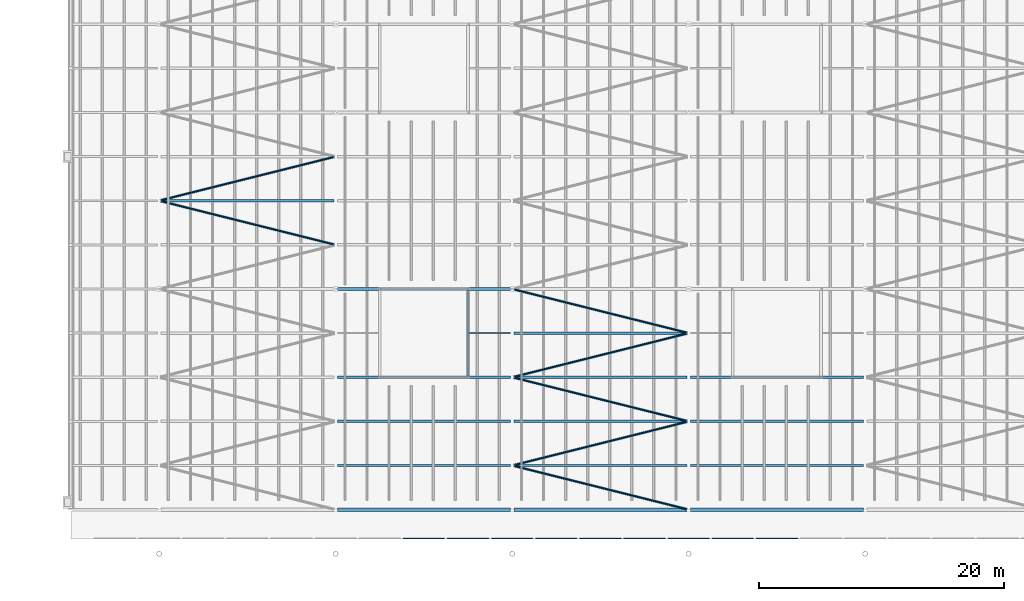
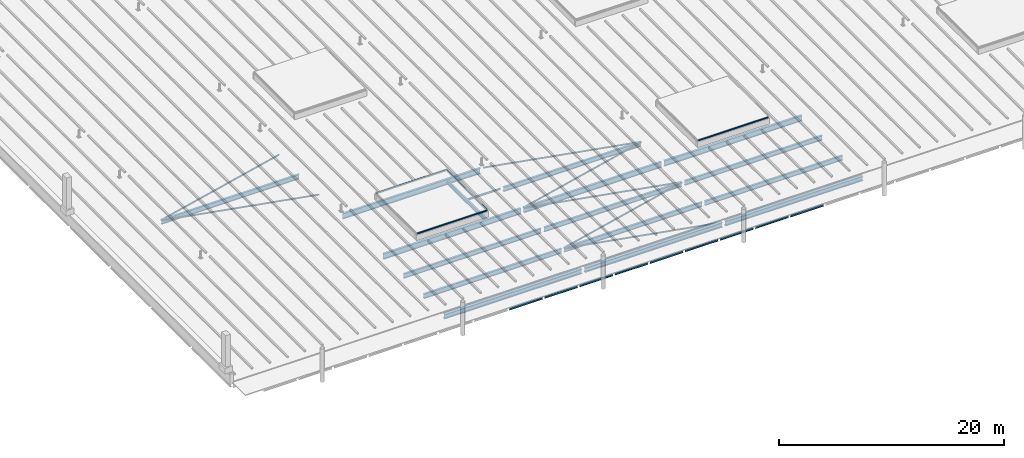
# One storey, part 15 of 120: 26 beams, 11 members.
"""IFC4 building model written with IfcOpenShell, lengths in metres."""

import ifcopenshell
import ifcopenshell.guid

model = None  # the IFC model being written
_history = None  # IfcOwnerHistory: only IFC2X3 demands one
_inside = {}  # id of a spatial element -> (the spatial element, [elements in it])
_under = {}  # id of a project, library or spatial element -> (it, [spatial elements below it])
_declared = {}  # id of a project -> (the project, [libraries it declares])
_typed = {}  # id of a type object -> (the type object, [elements of that type])
_made_of = {}  # id of a material, layer set ... -> (it, [elements and type objects made of it])


def new_model(schema):
    """Start an empty IFC model of exactly this schema.

    Asked for "IFC4X3", IfcOpenShell would pick the latest addendum, in which some entities
    have other attributes; the version numbers below select the first issue.
    IFC2X3 requires an IfcOwnerHistory on every rooted entity: one is made here for all.
    """
    global model, _history
    if schema == "IFC4X3":
        model = ifcopenshell.file(schema_version=(4, 3, 0, 0))
    else:
        model = ifcopenshell.file(schema=schema)
    _inside.clear()
    _under.clear()
    _declared.clear()
    _typed.clear()
    _made_of.clear()
    _history = None
    if model.schema == "IFC2X3":
        org = make("IfcOrganization", Name="unknown")
        user = make(
            "IfcPersonAndOrganization",
            ThePerson=make("IfcPerson", FamilyName="unknown"),
            TheOrganization=org,
        )
        app = make(
            "IfcApplication",
            ApplicationDeveloper=org,
            Version="unknown",
            ApplicationFullName="unknown",
            ApplicationIdentifier="unknown",
        )
        _history = make(
            "IfcOwnerHistory",
            OwningUser=user,
            OwningApplication=app,
            ChangeAction="ADDED",
            CreationDate=0,
        )
    return model


def make(cls, **values):
    """One entity of the class cls with the attributes given. An attribute that is None is left unset."""
    return model.create_entity(
        cls, **{name: value for name, value in values.items() if value is not None}
    )


def rooted(cls, **values):
    """An entity with a GlobalId (a new one), such as an element, a storey or a relation."""
    return make(cls, GlobalId=ifcopenshell.guid.new(), OwnerHistory=_history, **values)


def si_unit(unit_type, name, prefix=None):
    """IfcSIUnit, for example si_unit("LENGTHUNIT", "METRE", prefix="MILLI")."""
    return make("IfcSIUnit", UnitType=unit_type, Prefix=prefix, Name=name)


def assignment(units):
    """IfcUnitAssignment: the units of a project."""
    return None if units is None else make("IfcUnitAssignment", Units=units)


def point(xyz):
    """IfcCartesianPoint."""
    return None if xyz is None else make("IfcCartesianPoint", Coordinates=xyz)


def direction(xyz):
    """IfcDirection."""
    return None if xyz is None else make("IfcDirection", DirectionRatios=xyz)


def frame(location, z_axis=None, x_axis=None):
    """IfcAxis2Placement3D, a coordinate frame: its origin and axes. An axis left out is left unset."""
    return make(
        "IfcAxis2Placement3D",
        Location=point(location),
        Axis=direction(z_axis),
        RefDirection=direction(x_axis),
    )


def frame_2d(location, x_axis=None):
    """IfcAxis2Placement2D, a coordinate frame in the plane: its origin and x axis."""
    return make(
        "IfcAxis2Placement2D", Location=point(location), RefDirection=direction(x_axis)
    )


def origin():
    """The frame at (0, 0, 0) with its axes left unset."""
    return frame((0.0, 0.0, 0.0))


def origin_2d():
    """The frame at (0, 0) in the plane with its x axis left unset."""
    return frame_2d((0.0, 0.0))


def place(relative_to, where):
    """IfcLocalPlacement: puts the frame where relative to a parent placement (None: the world)."""
    return make(
        "IfcLocalPlacement", PlacementRelTo=relative_to, RelativePlacement=where
    )


def context(
    kind, dimensions, precision=None, world=None, true_north=None, identifier=None
):
    """IfcGeometricRepresentationContext, for example the 3D "Model" context."""
    return make(
        "IfcGeometricRepresentationContext",
        ContextIdentifier=identifier,
        ContextType=kind,
        CoordinateSpaceDimension=dimensions,
        Precision=precision,
        WorldCoordinateSystem=world,
        TrueNorth=true_north,
    )


def subcontext(parent, identifier, kind, view, scale=None):
    """IfcGeometricRepresentationSubContext, for example "Body" below "Model"."""
    return make(
        "IfcGeometricRepresentationSubContext",
        ContextIdentifier=identifier,
        ContextType=kind,
        ParentContext=parent,
        TargetScale=scale,
        TargetView=view,
    )


def project(units=None, contexts=None):
    """IfcProject with its units and contexts."""
    return rooted(
        "IfcProject",
        Name="project",
        RepresentationContexts=contexts,
        UnitsInContext=assignment(units),
    )


def spatial(cls, under=None, at=None, **own):
    """A site, building, storey or space (cls), placed at a placement, below another one or the project."""
    s = rooted(cls, ObjectPlacement=at, **own)
    if under is not None:
        _under.setdefault(under.id(), (under, []))[1].append(s)
    return s


def profile(cls, at=None, kind="AREA", **sizes):
    """A parametric profile (cls). Its sizes go by their IFC names, for example OverallWidth=200.0."""
    return make(cls, ProfileType=kind, Position=at, **sizes)


def hollow_circle(**sizes):
    """IfcCircleHollowProfileDef."""
    return profile("IfcCircleHollowProfileDef", **sizes)


def i_section(**sizes):
    """IfcIShapeProfileDef."""
    return profile("IfcIShapeProfileDef", **sizes)


def extrude(swept, where, along, depth):
    """IfcExtrudedAreaSolid: the profile swept, set in the frame where, extruded along a direction by depth."""
    return make(
        "IfcExtrudedAreaSolid",
        SweptArea=swept,
        Position=where,
        ExtrudedDirection=direction(along),
        Depth=depth,
    )


def shape(context_of_items, identifier, shape_type, items):
    """IfcShapeRepresentation: the items that make up one representation, for example the "Body"."""
    return make(
        "IfcShapeRepresentation",
        ContextOfItems=context_of_items,
        RepresentationIdentifier=identifier,
        RepresentationType=shape_type,
        Items=items,
    )


def material(Name=None, Category=None):
    """IfcMaterial."""
    return make("IfcMaterial", Name=Name, Category=Category)


def material_profile(
    of_material, cross_section, Name=None, Category=None, Priority=None
):
    """IfcMaterialProfile: a cross section and its material."""
    return make(
        "IfcMaterialProfile",
        Name=Name,
        Material=of_material,
        Profile=cross_section,
        Priority=Priority,
        Category=Category,
    )


def profile_set(profiles, Name=None, composite=None):
    """IfcMaterialProfileSet."""
    return make(
        "IfcMaterialProfileSet",
        Name=Name,
        MaterialProfiles=profiles,
        CompositeProfile=composite,
    )


def made_of(thing, what):
    """Note that an element or type object is made of a material, layer set ...; save() writes the relation."""
    if what is not None:
        _made_of.setdefault(what.id(), (what, []))[1].append(thing)
    return thing


def type_object(cls, material=None, **own):
    """A type object (cls), such as IfcWallType, which elements share."""
    return made_of(rooted(cls, **own), material)


def element(
    cls,
    number,
    at=None,
    inside=None,
    cuts=None,
    type_object=None,
    material=None,
    context=None,
    identifier="Body",
    shape_type=None,
    held_by="IfcProductDefinitionShape",
    body=None,
    shapes=None,
    **own,
):
    """One element of the class cls, such as IfcWall. Its Tag is "e" and its number.

    at: its placement. inside: the storey or other place that contains it. cuts: it is an
    opening in that element (IfcRelVoidsElement). A single representation is given by context,
    identifier, shape_type and body (its items); several are given by shapes. held_by: the class
    of the entity that holds the representations. save() writes the other relations.
    """
    e = rooted(cls, Tag="e%d" % number, ObjectPlacement=at, **own)
    if body is not None:
        shapes = [shape(context, identifier, shape_type, body)]
    if shapes is not None:
        e.Representation = make(held_by, Representations=shapes)
    if inside is not None:
        _inside.setdefault(inside.id(), (inside, []))[1].append(e)
    if cuts is not None:
        rooted(
            "IfcRelVoidsElement", RelatingBuildingElement=cuts, RelatedOpeningElement=e
        )
    if type_object is not None:
        _typed.setdefault(type_object.id(), (type_object, []))[1].append(e)
    return made_of(e, material)


def aggregate(whole, parts):
    """IfcRelAggregates: a whole, such as a stair, and the parts it consists of."""
    return rooted("IfcRelAggregates", RelatingObject=whole, RelatedObjects=parts)


def save(model, path):
    """Write the relations noted so far, then the file.

    IfcRelAggregates (storeys below a building ...), IfcRelContainedInSpatialStructure (elements
    in a storey), IfcRelDefinesByType, IfcRelAssociatesMaterial and IfcRelDeclares: one each for
    every whole, place, type object, material and project.
    """
    for whole, parts in _under.values():
        aggregate(whole, parts)
    for where, things in _inside.values():
        rooted(
            "IfcRelContainedInSpatialStructure",
            RelatedElements=things,
            RelatingStructure=where,
        )
    for kind, things in _typed.values():
        rooted("IfcRelDefinesByType", RelatedObjects=things, RelatingType=kind)
    for what, things in _made_of.values():
        rooted("IfcRelAssociatesMaterial", RelatedObjects=things, RelatingMaterial=what)
    for by, libraries in _declared.values():
        rooted("IfcRelDeclares", RelatingContext=by, RelatedDefinitions=libraries)
    model.write(path)


model = new_model("IFC4")

# Units and contexts
model_context = context("Model", 3, precision=1e-05, world=origin(), true_north=direction((0.0, 1.0)))
body_context = subcontext(model_context, "Body", "Model", "MODEL_VIEW")
ifc_project = project(units=[si_unit("LENGTHUNIT", "METRE"), si_unit("AREAUNIT", "SQUARE_METRE"), si_unit("VOLUMEUNIT", "CUBIC_METRE"), si_unit("PLANEANGLEUNIT", "RADIAN"), si_unit("MASSUNIT", "GRAM", prefix="KILO")], contexts=[model_context])

# Site, building, storey
site_placement = place(None, origin())
site = spatial("IfcSite", under=ifc_project, at=site_placement, CompositionType="ELEMENT")
building_placement = place(site_placement, origin())
building = spatial("IfcBuilding", under=site, at=building_placement, Name="Kupolbacken Congress Centre", CompositionType="ELEMENT")
storey_placement = place(building_placement, frame((0.0, 0.0, 21.60009765625)))
storey = spatial("IfcBuildingStorey", under=building, at=storey_placement, Name="L06", CompositionType="ELEMENT", Elevation=21.60009765625)

# Beams
ifc_material_1 = material(Name="Steel S355", Category="steel")
ifc_material_profile_1 = material_profile(ifc_material_1, i_section(OverallWidth=0.10009765625, OverallDepth=0.199951171875, WebThickness=0.005615234375, FlangeThickness=0.008544921875, FilletRadius=0.011962890625, at=origin_2d()), Name="IPE 200")
ifc_profile_set_1 = profile_set([ifc_material_profile_1], Name="Steel S355")
beam_type_1 = type_object("IfcBeamType", Name="B01 beam IPE 200", PredefinedType="BEAM", material=ifc_profile_set_1)
beam_1_placement = place(storey_placement, frame((118.89990234375, 57.60009765625, -0.10009765625), z_axis=(1.0, 0.0, 0.0), x_axis=(0.0, 1.0, 0.0)))
element("IfcBeam", 1, at=beam_1_placement, inside=storey, type_object=beam_type_1, Name="HR/P04-02-1", PredefinedType="BEAM", context=body_context, shape_type="SweptSolid", body=[
    extrude(i_section(OverallWidth=0.10009765625, OverallDepth=0.199951171875, WebThickness=0.005615234375, FlangeThickness=0.008544921875, FilletRadius=0.011962890625, at=origin_2d()), origin(), (0.0, 0.0, 1.0), 3.35498046875),
])
for number, where, z_axis, x_axis, name in (
    (2, (113.5, 40.85009765625, 0.06982421875), (1.0, 0.0, 0.0), (0.0, 1.0, 0.0), "S/edge/HE/S/08"),
    (3, (117.10009765625, 40.85009765625, 0.06982421875), (1.0, 0.0, 0.0), (0.0, 1.0, 0.0), "S/edge/HE/S/09"),
):
    element("IfcBeam", number, at=place(storey_placement, frame(where, z_axis=z_axis, x_axis=x_axis)), inside=storey, type_object=beam_type_1, Name=name, PredefinedType="BEAM", context=body_context, shape_type="SweptSolid", body=[
        extrude(i_section(OverallWidth=0.10009765625, OverallDepth=0.199951171875, WebThickness=0.005615234375, FlangeThickness=0.008544921875, FilletRadius=0.011962890625, at=origin_2d()), origin(), (0.0, 0.0, 1.0), 3.39990234375),
    ])
beam_2_placement = place(storey_placement, frame((120.699951171875, 40.85009765625, 0.06982421875), z_axis=(1.0, 0.0, 0.0), x_axis=(0.0, 1.0, 0.0)))
element("IfcBeam", 4, at=beam_2_placement, inside=storey, type_object=beam_type_1, Name="S/edge/HE/S/10", PredefinedType="BEAM", context=body_context, shape_type="SweptSolid", body=[
    extrude(i_section(OverallWidth=0.10009765625, OverallDepth=0.199951171875, WebThickness=0.005615234375, FlangeThickness=0.008544921875, FilletRadius=0.011962890625, at=origin_2d()), origin(), (0.0, 0.0, 1.0), 3.400146484375),
])
beam_3_placement = place(storey_placement, frame((124.300048828125, 40.85009765625, 0.06982421875), z_axis=(1.0, 0.0, 0.0), x_axis=(0.0, 1.0, 0.0)))
element("IfcBeam", 5, at=beam_3_placement, inside=storey, type_object=beam_type_1, Name="S/edge/HE/S/11", PredefinedType="BEAM", context=body_context, shape_type="SweptSolid", body=[
    extrude(i_section(OverallWidth=0.10009765625, OverallDepth=0.199951171875, WebThickness=0.005615234375, FlangeThickness=0.008544921875, FilletRadius=0.011962890625, at=origin_2d()), origin(), (0.0, 0.0, 1.0), 3.39990234375),
])
beam_4_placement = place(storey_placement, frame((127.89990234375, 40.85009765625, 0.06982421875), z_axis=(1.0, 0.0, 0.0), x_axis=(0.0, 1.0, 0.0)))
element("IfcBeam", 6, at=beam_4_placement, inside=storey, type_object=beam_type_1, Name="S/edge/HE/S/12", PredefinedType="BEAM", context=body_context, shape_type="SweptSolid", body=[
    extrude(i_section(OverallWidth=0.10009765625, OverallDepth=0.199951171875, WebThickness=0.005615234375, FlangeThickness=0.008544921875, FilletRadius=0.011962890625, at=origin_2d()), origin(), (0.0, 0.0, 1.0), 3.400146484375),
])
for number, where, z_axis, x_axis, name in (
    (7, (131.5, 40.85009765625, 0.06982421875), (1.0, 0.0, 0.0), (0.0, 1.0, 0.0), "S/edge/HE/S/13"),
    (8, (135.10009765625, 40.85009765625, 0.06982421875), (1.0, 0.0, 0.0), (0.0, 1.0, 0.0), "S/edge/HE/S/14"),
):
    element("IfcBeam", number, at=place(storey_placement, frame(where, z_axis=z_axis, x_axis=x_axis)), inside=storey, type_object=beam_type_1, Name=name, PredefinedType="BEAM", context=body_context, shape_type="SweptSolid", body=[
        extrude(i_section(OverallWidth=0.10009765625, OverallDepth=0.199951171875, WebThickness=0.005615234375, FlangeThickness=0.008544921875, FilletRadius=0.011962890625, at=origin_2d()), origin(), (0.0, 0.0, 1.0), 3.39990234375),
    ])
beam_5_placement = place(storey_placement, frame((138.699951171875, 40.85009765625, 0.06982421875), z_axis=(1.0, 0.0, 0.0), x_axis=(0.0, 1.0, 0.0)))
element("IfcBeam", 9, at=beam_5_placement, inside=storey, type_object=beam_type_1, Name="S/edge/HE/S/15", PredefinedType="BEAM", context=body_context, shape_type="SweptSolid", body=[
    extrude(i_section(OverallWidth=0.10009765625, OverallDepth=0.199951171875, WebThickness=0.005615234375, FlangeThickness=0.008544921875, FilletRadius=0.011962890625, at=origin_2d()), origin(), (0.0, 0.0, 1.0), 3.400146484375),
])
beam_6_placement = place(storey_placement, frame((142.300048828125, 40.85009765625, 0.06982421875), z_axis=(1.0, 0.0, 0.0), x_axis=(0.0, 1.0, 0.0)))
element("IfcBeam", 10, at=beam_6_placement, inside=storey, type_object=beam_type_1, Name="S/edge/HE/S/16", PredefinedType="BEAM", context=body_context, shape_type="SweptSolid", body=[
    extrude(i_section(OverallWidth=0.10009765625, OverallDepth=0.199951171875, WebThickness=0.005615234375, FlangeThickness=0.008544921875, FilletRadius=0.011962890625, at=origin_2d()), origin(), (0.0, 0.0, 1.0), 3.39990234375),
])
ifc_material_2 = material(Name="Steel S355", Category="steel")
ifc_material_profile_2 = material_profile(ifc_material_2, i_section(OverallWidth=0.179931640625, OverallDepth=0.39990234375, WebThickness=0.008544921875, FlangeThickness=0.013427734375, FilletRadius=0.02099609375, at=origin_2d()), Name="IPE 400")
ifc_profile_set_2 = profile_set([ifc_material_profile_2], Name="Steel S355")
beam_type_2 = type_object("IfcBeamType", Name="B07 beam IPE 400", PredefinedType="BEAM", material=ifc_profile_set_2)
beam_7_placement = place(storey_placement, frame((118.800048828125, 54.10009765625, -0.2001953125), z_axis=(0.0, 1.0, 0.0), x_axis=(-1.0, 0.0, 0.0)))
element("IfcBeam", 11, at=beam_7_placement, inside=storey, type_object=beam_type_2, Name="HR/CT1E", PredefinedType="BEAM", context=body_context, shape_type="SweptSolid", body=[
    extrude(i_section(OverallWidth=0.179931640625, OverallDepth=0.39990234375, WebThickness=0.008544921875, FlangeThickness=0.013427734375, FilletRadius=0.02099609375, at=origin_2d()), origin(), (0.0, 0.0, 1.0), 7.0),
])
ifc_material_3 = material(Name="Steel S355", Category="steel")
ifc_material_profile_3 = material_profile(ifc_material_3, i_section(OverallWidth=0.199951171875, OverallDepth=0.5, WebThickness=0.01025390625, FlangeThickness=0.01611328125, FilletRadius=0.02099609375, at=origin_2d()), Name="IPE 500")
ifc_profile_set_3 = profile_set([ifc_material_profile_3], Name="Steel S355")
beam_type_3 = type_object("IfcBeamType", Name="B09 beam IPE 500", PredefinedType="BEAM", material=ifc_profile_set_3)
beam_8_placement = place(storey_placement, frame((108.14501953125, 46.800048828125, -0.25), z_axis=(1.0, 0.0, 0.0), x_axis=(0.0, 1.0, 0.0)))
element("IfcBeam", 12, at=beam_8_placement, inside=storey, type_object=beam_type_3, Name="HR/P01-02", PredefinedType="BEAM", context=body_context, shape_type="SweptSolid", body=[
    extrude(i_section(OverallWidth=0.199951171875, OverallDepth=0.5, WebThickness=0.01025390625, FlangeThickness=0.01611328125, FilletRadius=0.02099609375, at=origin_2d()), origin(), (0.0, 0.0, 1.0), 14.10986328125),
])
beam_9_placement = place(storey_placement, frame((122.544921875, 46.800048828125, -0.25), z_axis=(1.0, 0.0, 0.0), x_axis=(0.0, 1.0, 0.0)))
element("IfcBeam", 13, at=beam_9_placement, inside=storey, type_object=beam_type_3, Name="HR/P01-03", PredefinedType="BEAM", context=body_context, shape_type="SweptSolid", body=[
    extrude(i_section(OverallWidth=0.199951171875, OverallDepth=0.5, WebThickness=0.01025390625, FlangeThickness=0.01611328125, FilletRadius=0.02099609375, at=origin_2d()), origin(), (0.0, 0.0, 1.0), 14.110107421875),
])
for number, where, z_axis, x_axis, name in (
    (14, (136.945068359375, 46.800048828125, -0.25), (1.0, 0.0, 0.0), (0.0, 1.0, 0.0), "HR/P01-04"),
    (15, (108.14501953125, 50.39990234375, -0.25), (1.0, 0.0, 0.0), (0.0, 1.0, 0.0), "HR/P02-02"),
):
    element("IfcBeam", number, at=place(storey_placement, frame(where, z_axis=z_axis, x_axis=x_axis)), inside=storey, type_object=beam_type_3, Name=name, PredefinedType="BEAM", context=body_context, shape_type="SweptSolid", body=[
        extrude(i_section(OverallWidth=0.199951171875, OverallDepth=0.5, WebThickness=0.01025390625, FlangeThickness=0.01611328125, FilletRadius=0.02099609375, at=origin_2d()), origin(), (0.0, 0.0, 1.0), 14.10986328125),
    ])
beam_10_placement = place(storey_placement, frame((122.544921875, 50.39990234375, -0.25), z_axis=(1.0, 0.0, 0.0), x_axis=(0.0, 1.0, 0.0)))
element("IfcBeam", 16, at=beam_10_placement, inside=storey, type_object=beam_type_3, Name="HR/P02-03", PredefinedType="BEAM", context=body_context, shape_type="SweptSolid", body=[
    extrude(i_section(OverallWidth=0.199951171875, OverallDepth=0.5, WebThickness=0.01025390625, FlangeThickness=0.01611328125, FilletRadius=0.02099609375, at=origin_2d()), origin(), (0.0, 0.0, 1.0), 14.110107421875),
])
beam_11_placement = place(storey_placement, frame((136.945068359375, 50.39990234375, -0.25), z_axis=(1.0, 0.0, 0.0), x_axis=(0.0, 1.0, 0.0)))
element("IfcBeam", 17, at=beam_11_placement, inside=storey, type_object=beam_type_3, Name="HR/P02-04", PredefinedType="BEAM", context=body_context, shape_type="SweptSolid", body=[
    extrude(i_section(OverallWidth=0.199951171875, OverallDepth=0.5, WebThickness=0.01025390625, FlangeThickness=0.01611328125, FilletRadius=0.02099609375, at=origin_2d()), origin(), (0.0, 0.0, 1.0), 14.10986328125),
])
beam_12_placement = place(storey_placement, frame((122.544921875, 57.60009765625, -0.25), z_axis=(1.0, 0.0, 0.0), x_axis=(0.0, 1.0, 0.0)))
element("IfcBeam", 18, at=beam_12_placement, inside=storey, type_object=beam_type_3, Name="HR/P04-03", PredefinedType="BEAM", context=body_context, shape_type="SweptSolid", body=[
    extrude(i_section(OverallWidth=0.199951171875, OverallDepth=0.5, WebThickness=0.01025390625, FlangeThickness=0.01611328125, FilletRadius=0.02099609375, at=origin_2d()), origin(), (0.0, 0.0, 1.0), 14.110107421875),
])
beam_13_placement = place(storey_placement, frame((93.7451171875, 68.39990234375, -0.25), z_axis=(1.0, 0.0, 0.0), x_axis=(0.0, 1.0, 0.0)))
element("IfcBeam", 19, at=beam_13_placement, inside=storey, type_object=beam_type_3, Name="HR/P07-01", PredefinedType="BEAM", context=body_context, shape_type="SweptSolid", body=[
    extrude(i_section(OverallWidth=0.199951171875, OverallDepth=0.5, WebThickness=0.01025390625, FlangeThickness=0.01611328125, FilletRadius=0.02099609375, at=origin_2d()), origin(), (0.0, 0.0, 1.0), 14.10986328125),
])
ifc_material_4 = material(Name="Steel S355", Category="steel")
ifc_material_profile_4 = material_profile(ifc_material_4, i_section(OverallWidth=0.219970703125, OverallDepth=0.60009765625, WebThickness=0.011962890625, FlangeThickness=0.01904296875, FilletRadius=0.02392578125, at=origin_2d()), Name="IPE 600")
ifc_profile_set_4 = profile_set([ifc_material_profile_4], Name="Steel S355")
beam_type_4 = type_object("IfcBeamType", Name="B11 beam IPE 600", PredefinedType="BEAM", material=ifc_profile_set_4)
beam_14_placement = place(storey_placement, frame((108.14501953125, 54.0, -0.300048828125), z_axis=(1.0, 0.0, 0.0), x_axis=(0.0, 1.0, 0.0)))
element("IfcBeam", 20, at=beam_14_placement, inside=storey, type_object=beam_type_4, Name="HR/X03-02", PredefinedType="BEAM", context=body_context, shape_type="SweptSolid", body=[
    extrude(i_section(OverallWidth=0.219970703125, OverallDepth=0.60009765625, WebThickness=0.011962890625, FlangeThickness=0.01904296875, FilletRadius=0.02392578125, at=origin_2d()), origin(), (0.0, 0.0, 1.0), 14.10986328125),
])
beam_15_placement = place(storey_placement, frame((122.544921875, 54.0, -0.300048828125), z_axis=(1.0, 0.0, 0.0), x_axis=(0.0, 1.0, 0.0)))
element("IfcBeam", 21, at=beam_15_placement, inside=storey, type_object=beam_type_4, Name="HR/X03-03", PredefinedType="BEAM", context=body_context, shape_type="SweptSolid", body=[
    extrude(i_section(OverallWidth=0.219970703125, OverallDepth=0.60009765625, WebThickness=0.011962890625, FlangeThickness=0.01904296875, FilletRadius=0.02392578125, at=origin_2d()), origin(), (0.0, 0.0, 1.0), 14.110107421875),
])
for number, where, z_axis, x_axis, name in (
    (22, (136.945068359375, 54.0, -0.300048828125), (1.0, 0.0, 0.0), (0.0, 1.0, 0.0), "HR/X03-04"),
    (23, (108.14501953125, 61.199951171875, -0.300048828125), (1.0, 0.0, 0.0), (0.0, 1.0, 0.0), "HR/X05-02"),
):
    element("IfcBeam", number, at=place(storey_placement, frame(where, z_axis=z_axis, x_axis=x_axis)), inside=storey, type_object=beam_type_4, Name=name, PredefinedType="BEAM", context=body_context, shape_type="SweptSolid", body=[
        extrude(i_section(OverallWidth=0.219970703125, OverallDepth=0.60009765625, WebThickness=0.011962890625, FlangeThickness=0.01904296875, FilletRadius=0.02392578125, at=origin_2d()), origin(), (0.0, 0.0, 1.0), 14.10986328125),
    ])
ifc_material_5 = material(Name="Steel S355", Category="steel")
ifc_material_profile_5 = material_profile(ifc_material_5, i_section(OverallWidth=0.300048828125, OverallDepth=0.5, WebThickness=0.014404296875, FlangeThickness=0.028076171875, FilletRadius=0.027099609375, at=origin_2d()), Name="HEB 500")
ifc_profile_set_5 = profile_set([ifc_material_profile_5], Name="Steel S355")
beam_type_5 = type_object("IfcBeamType", Name="B20 beam HEB 500", PredefinedType="BEAM", material=ifc_profile_set_5)
beam_16_placement = place(storey_placement, frame((108.14501953125, 43.199951171875, -0.25), z_axis=(1.0, 0.0, 0.0), x_axis=(0.0, 1.0, 0.0)))
element("IfcBeam", 24, at=beam_16_placement, inside=storey, type_object=beam_type_5, Name="HR/E00-02", PredefinedType="BEAM", context=body_context, shape_type="SweptSolid", body=[
    extrude(i_section(OverallWidth=0.300048828125, OverallDepth=0.5, WebThickness=0.014404296875, FlangeThickness=0.028076171875, FilletRadius=0.027099609375, at=origin_2d()), origin(), (0.0, 0.0, 1.0), 14.10986328125),
])
beam_17_placement = place(storey_placement, frame((122.544921875, 43.199951171875, -0.25), z_axis=(1.0, 0.0, 0.0), x_axis=(0.0, 1.0, 0.0)))
element("IfcBeam", 25, at=beam_17_placement, inside=storey, type_object=beam_type_5, Name="HR/E00-03", PredefinedType="BEAM", context=body_context, shape_type="SweptSolid", body=[
    extrude(i_section(OverallWidth=0.300048828125, OverallDepth=0.5, WebThickness=0.014404296875, FlangeThickness=0.028076171875, FilletRadius=0.027099609375, at=origin_2d()), origin(), (0.0, 0.0, 1.0), 14.110107421875),
])
beam_18_placement = place(storey_placement, frame((136.945068359375, 43.199951171875, -0.25), z_axis=(1.0, 0.0, 0.0), x_axis=(0.0, 1.0, 0.0)))
element("IfcBeam", 26, at=beam_18_placement, inside=storey, type_object=beam_type_5, Name="HR/E00-04", PredefinedType="BEAM", context=body_context, shape_type="SweptSolid", body=[
    extrude(i_section(OverallWidth=0.300048828125, OverallDepth=0.5, WebThickness=0.014404296875, FlangeThickness=0.028076171875, FilletRadius=0.027099609375, at=origin_2d()), origin(), (0.0, 0.0, 1.0), 14.10986328125),
])

# Members
ifc_material_6 = material(Name="Steel S355", Category="steel")
ifc_material_profile_6 = material_profile(ifc_material_6, hollow_circle(Radius=0.084228515625, WallThickness=0.008056640625, at=origin_2d()), Name="CHS 168.3 x 8")
ifc_profile_set_6 = profile_set([ifc_material_profile_6], Name="Steel S355")
member_type = type_object("IfcMemberType", Name="M21 brace CHS 168.3 x 8", PredefinedType="BRACE", material=ifc_profile_set_6)
for number, where, z_axis, x_axis, name in (
    (27, (107.859375, 64.835205078125, -0.084228515625), (-0.970144473737, 0.242527730535, 0.0), (-0.242527730535, -0.970144473737, 0.0), "HR/RB/01-06"),
    (28, (93.74072265625, 68.43505859375, -0.084228515625), (0.970140526498, 0.24254351949, 0.0), (-0.24254351949, 0.970140526498, 0.0), "HR/RB/01-07"),
    (29, (136.659423828125, 43.235107421875, -0.084228515625), (-0.970140526498, 0.24254351949, 0.0), (-0.24254351949, -0.970140526498, 0.0), "HR/RB/03-00"),
    (30, (122.540771484375, 46.835205078125, -0.084228515625), (0.970144473737, 0.242527730535, 0.0), (-0.242527730535, 0.970144473737, 0.0), "HR/RB/03-01"),
    (31, (136.659423828125, 50.43505859375, -0.084228515625), (-0.970140526498, 0.24254351949, 0.0), (-0.24254351949, -0.970140526498, 0.0), "HR/RB/03-02"),
    (32, (122.540771484375, 54.03515625, -0.084228515625), (0.970140526498, 0.24254351949, 0.0), (-0.24254351949, 0.970140526498, 0.0), "HR/RB/03-03"),
    (33, (136.659423828125, 57.63525390625, -0.084228515625), (-0.970144473737, 0.242527730535, 0.0), (-0.242527730535, -0.970144473737, 0.0), "HR/RB/03-04"),
):
    element("IfcMember", number, at=place(storey_placement, frame(where, z_axis=z_axis, x_axis=x_axis)), inside=storey, type_object=member_type, Name=name, PredefinedType="BRACE", context=body_context, shape_type="SweptSolid", body=[
        extrude(hollow_circle(Radius=0.084228515625, WallThickness=0.008056640625, at=origin_2d()), origin(), (0.0, 0.0, 1.0), 14.55322265625),
    ])
for number, where, z_axis, x_axis, name in (
    (34, (111.60009765625, 54.0, 0.944091796875), (1.0, 0.0, 0.0), (0.0, 1.0, 0.0), "RD/RL1/FS"),
    (35, (111.60009765625, 61.199951171875, 0.944091796875), (1.0, 0.0, 0.0), (0.0, 1.0, 0.0), "RD/RL1/FN"),
):
    element("IfcMember", number, at=place(storey_placement, frame(where, z_axis=z_axis, x_axis=x_axis)), inside=storey, type_object=member_type, Name=name, PredefinedType="BRACE", context=body_context, shape_type="SweptSolid", body=[
        extrude(hollow_circle(Radius=0.084228515625, WallThickness=0.008056640625, at=origin_2d()), origin(), (0.0, 0.0, 1.0), 7.199951171875),
    ])
member_1_placement = place(storey_placement, frame((118.800048828125, 54.07421875, 0.944091796875), z_axis=(0.0, 1.0, 0.0), x_axis=(-1.0, 0.0, 0.0)))
element("IfcMember", 36, at=member_1_placement, inside=storey, type_object=member_type, Name="RD/RL1/FE", PredefinedType="BRACE", context=body_context, shape_type="SweptSolid", body=[
    extrude(hollow_circle(Radius=0.084228515625, WallThickness=0.008056640625, at=origin_2d()), origin(), (0.0, 0.0, 1.0), 7.051513671875),
])
member_2_placement = place(storey_placement, frame((140.39990234375, 54.0, 0.944091796875), z_axis=(1.0, 0.0, 0.0), x_axis=(0.0, 1.0, 0.0)))
element("IfcMember", 37, at=member_2_placement, inside=storey, type_object=member_type, Name="RD/RL4/FS", PredefinedType="BRACE", context=body_context, shape_type="SweptSolid", body=[
    extrude(hollow_circle(Radius=0.084228515625, WallThickness=0.008056640625, at=origin_2d()), origin(), (0.0, 0.0, 1.0), 7.2001953125),
])

save(model, "model.ifc")
